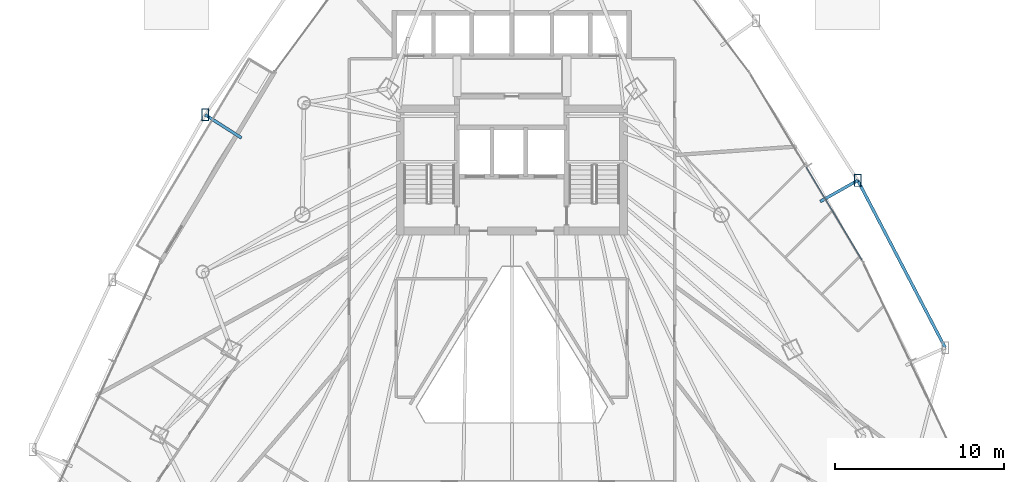
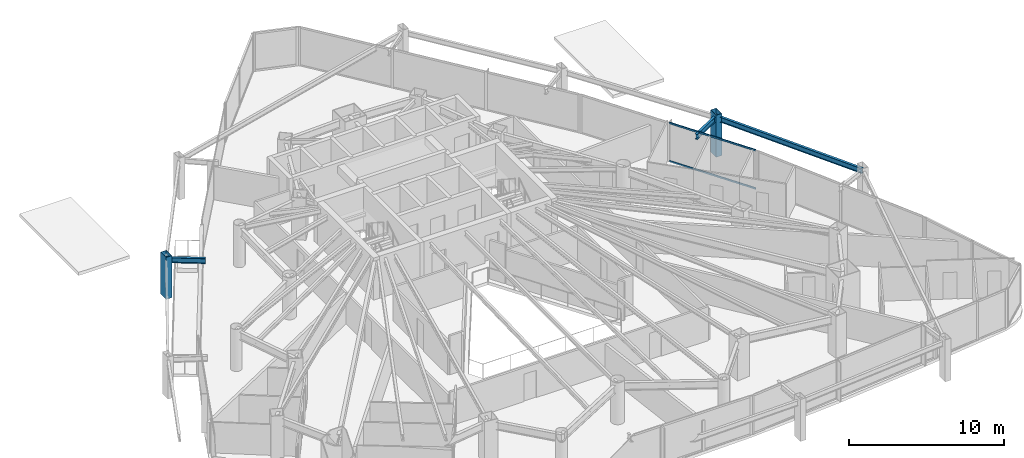
# One storey, part 21 of 35: 4 members, 3 beams, 1 element without a shape of its own.
"""IFC4 building model written with IfcOpenShell, lengths in metres."""

from ifc_helpers import new_model, si_unit, direction, frame, origin, origin_2d, place, context, subcontext, project, spatial, hollow_rectangle, i_section, extrude, material, layer, layer_set, material_profile, profile_set, type_object, element, aggregate, save


model = new_model("IFC4")

# Units and contexts
model_context = context("Model", 3, precision=1e-05, world=origin(), true_north=direction((0.0, 1.0)))
body_context = subcontext(model_context, "Body", "Model", "MODEL_VIEW")
ifc_project = project(units=[si_unit("LENGTHUNIT", "METRE"), si_unit("AREAUNIT", "SQUARE_METRE"), si_unit("VOLUMEUNIT", "CUBIC_METRE"), si_unit("PLANEANGLEUNIT", "RADIAN"), si_unit("MASSUNIT", "GRAM", prefix="KILO")], contexts=[model_context])

# Site, building, storey
site_placement = place(None, origin())
site = spatial("IfcSite", under=ifc_project, at=site_placement, CompositionType="ELEMENT")
building_placement = place(site_placement, origin())
building = spatial("IfcBuilding", under=site, at=building_placement, Name="Orvanel Arch Residences", CompositionType="ELEMENT")
storey_placement = place(building_placement, frame((0.0, 0.0, 26.89990234375)))
storey = spatial("IfcBuildingStorey", under=building, at=storey_placement, Name="L06", CompositionType="ELEMENT", Elevation=26.89990234375)

# Members
ifc_material_1 = material(Name="Structural steel AS/NZS 3678 Grade 350", Category="steel")
ifc_material_profile_1 = material_profile(ifc_material_1, hollow_rectangle(XDim=0.419921875, YDim=0.719970703125, WallThickness=0.02490234375, at=origin_2d()), Name="RHS720x420x25")
ifc_profile_set_1 = profile_set([ifc_material_profile_1], Name="Structural steel AS/NZS 3678 Grade 350")
member_type_1 = type_object("IfcMemberType", Name="CH-720RHS-EXT", PredefinedType="CHORD", material=ifc_profile_set_1)
for number, where, z_axis, x_axis, name in (
    (1, (14.81494140625, 33.56494140625, 0.0), (0.0, 0.0, 1.0), (1.0, 0.0, 0.0), "L06 Outer Perimeter Frame Post 02"),
    (2, (53.51904296875, 29.675048828125, 0.0), (0.0, 0.0, 1.0), (1.0, 0.0, 0.0), "L06 Outer Perimeter Frame Post 10"),
):
    element("IfcMember", number, at=place(storey_placement, frame(where, z_axis=z_axis, x_axis=x_axis)), inside=storey, type_object=member_type_1, Name=name, PredefinedType="CHORD", context=body_context, shape_type="SweptSolid", body=[
        extrude(hollow_rectangle(XDim=0.419921875, YDim=0.719970703125, WallThickness=0.02490234375, at=origin_2d()), origin(), (0.0, 0.0, 1.0), 3.300048828125),
    ])

# Beams
ifc_material_2 = material(Name="Structural steel AS/NZS 3679.1 Grade 300 (300 MPa)", Category="steel")
ifc_material_profile_2 = material_profile(ifc_material_2, i_section(OverallWidth=0.177978515625, OverallDepth=0.406005859375, WebThickness=0.0078125, FlangeThickness=0.0126953125, at=origin_2d()), Name="410UB59.7")
ifc_profile_set_2 = profile_set([ifc_material_profile_2], Name="Structural steel AS/NZS 3679.1 Grade 300 (300 MPa)")
beam_type = type_object("IfcBeamType", Name="OB-410UB-EXT", PredefinedType="SPANDREL", material=ifc_profile_set_2)
beam_1_placement = place(storey_placement, frame((16.965087890625, 32.194091796875, 2.857177734375), z_axis=(-0.843203870608, 0.537593929087, 0.0), x_axis=(-0.537593929087, -0.843203870608, 0.0)))
element("IfcBeam", 3, at=beam_1_placement, inside=storey, type_object=beam_type, Name="L06 Outer Frame Radial Tie Beam 02", PredefinedType="SPANDREL", context=body_context, shape_type="SweptSolid", body=[
    extrude(i_section(OverallWidth=0.177978515625, OverallDepth=0.406005859375, WebThickness=0.0078125, FlangeThickness=0.0126953125, at=origin_2d()), origin(), (0.0, 0.0, 1.0), 2.550048828125),
])
beam_2_placement = place(storey_placement, frame((58.701904296875, 19.75390625, 2.857177734375), z_axis=(-0.463030330955, 0.886342435301, 0.0), x_axis=(-0.886342435301, -0.463030330955, 0.0)))
element("IfcBeam", 4, at=beam_2_placement, inside=storey, type_object=beam_type, Name="L06 Outer Perimeter Floor Ring Beam 09", PredefinedType="SPANDREL", context=body_context, shape_type="SweptSolid", body=[
    extrude(i_section(OverallWidth=0.177978515625, OverallDepth=0.406005859375, WebThickness=0.0078125, FlangeThickness=0.0126953125, at=origin_2d()), origin(), (0.0, 0.0, 1.0), 11.193359375),
])
beam_3_placement = place(storey_placement, frame((51.297119140625, 28.424072265625, 2.857177734375), z_axis=(0.871383694473, 0.490602137181, 0.0), x_axis=(-0.490602137181, 0.871383694473, 0.0)))
element("IfcBeam", 5, at=beam_3_placement, inside=storey, type_object=beam_type, Name="L06 Outer Frame Radial Tie Beam 10", PredefinedType="SPANDREL", context=body_context, shape_type="SweptSolid", body=[
    extrude(i_section(OverallWidth=0.177978515625, OverallDepth=0.406005859375, WebThickness=0.0078125, FlangeThickness=0.0126953125, at=origin_2d()), origin(), (0.0, 0.0, 1.0), 2.5498046875),
])

# Curtain wall, members
ifc_material_3 = material(Name="Bronze-anodised aluminium AA6063-T6", Category="aluminium")
ifc_layer = layer(ifc_material_3, 0.179931640625)
ifc_layer_set = layer_set([ifc_layer], Name="Bronze-anodised aluminium AA6063-T6")
curtain_wall_type = type_object("IfcCurtainWallType", Name="CW2-LOW-SYS", PredefinedType="NOTDEFINED", material=ifc_layer_set)
curtain_wall_placement = place(storey_placement, origin())
curtain_wall = element("IfcCurtainWall", 6, at=curtain_wall_placement, inside=storey, type_object=curtain_wall_type, Name="L06 CW2-LOW-SYS Unitised Curtain Wall", PredefinedType="NOTDEFINED")
ifc_material_profile_3 = material_profile(ifc_material_3, hollow_rectangle(XDim=0.06005859375, YDim=0.135009765625, WallThickness=0.00390625, at=origin_2d()), Name="ALU135x60x4")
ifc_profile_set_3 = profile_set([ifc_material_profile_3], Name="Bronze-anodised aluminium AA6063-T6")
member_type_2 = type_object("IfcMemberType", Name="TRN-135x60", PredefinedType="USERDEFINED", material=ifc_profile_set_3)
member_1_placement = place(storey_placement, frame((53.760986328125, 24.9599609375, 0.030029296875), z_axis=(-0.514411623983, 0.857543398967, 0.0), x_axis=(-0.857543398967, -0.514411623983, 0.0)))
member_1 = element("IfcMember", 7, at=member_1_placement, type_object=member_type_2, Name="CW-S2 transom 1.1", ObjectType="TRANSOM", PredefinedType="USERDEFINED", context=body_context, shape_type="SweptSolid", body=[
    extrude(hollow_rectangle(XDim=0.06005859375, YDim=0.135009765625, WallThickness=0.00390625, at=origin_2d()), origin(), (0.0, 0.0, 1.0), 6.4013671875),
])
member_2_placement = place(storey_placement, frame((53.760986328125, 24.9599609375, 3.030029296875), z_axis=(-0.514411623983, 0.857543398967, 0.0), x_axis=(-0.857543398967, -0.514411623983, 0.0)))
member_2 = element("IfcMember", 8, at=member_2_placement, type_object=member_type_2, Name="CW-S2 transom 1.2", ObjectType="TRANSOM", PredefinedType="USERDEFINED", context=body_context, shape_type="SweptSolid", body=[
    extrude(hollow_rectangle(XDim=0.06005859375, YDim=0.135009765625, WallThickness=0.00390625, at=origin_2d()), origin(), (0.0, 0.0, 1.0), 6.4013671875),
])
aggregate(curtain_wall, [member_1, member_2])

save(model, "model.ifc")
